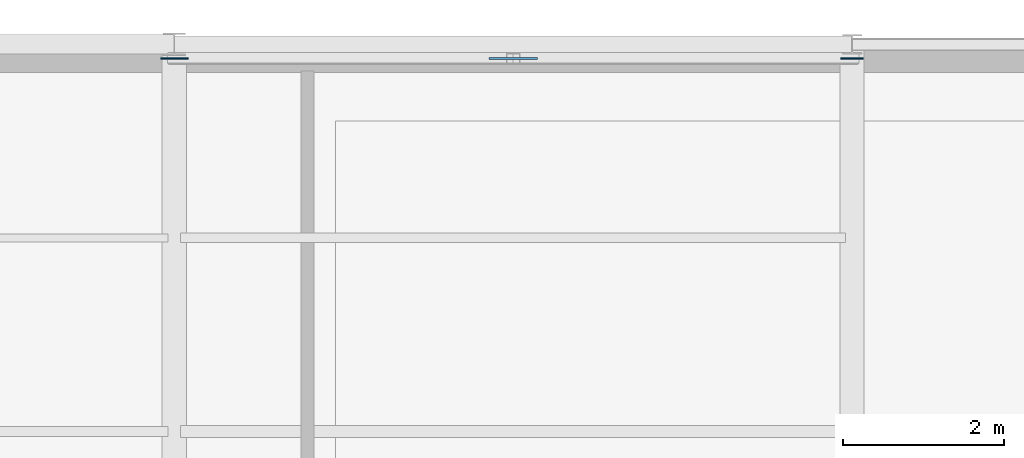
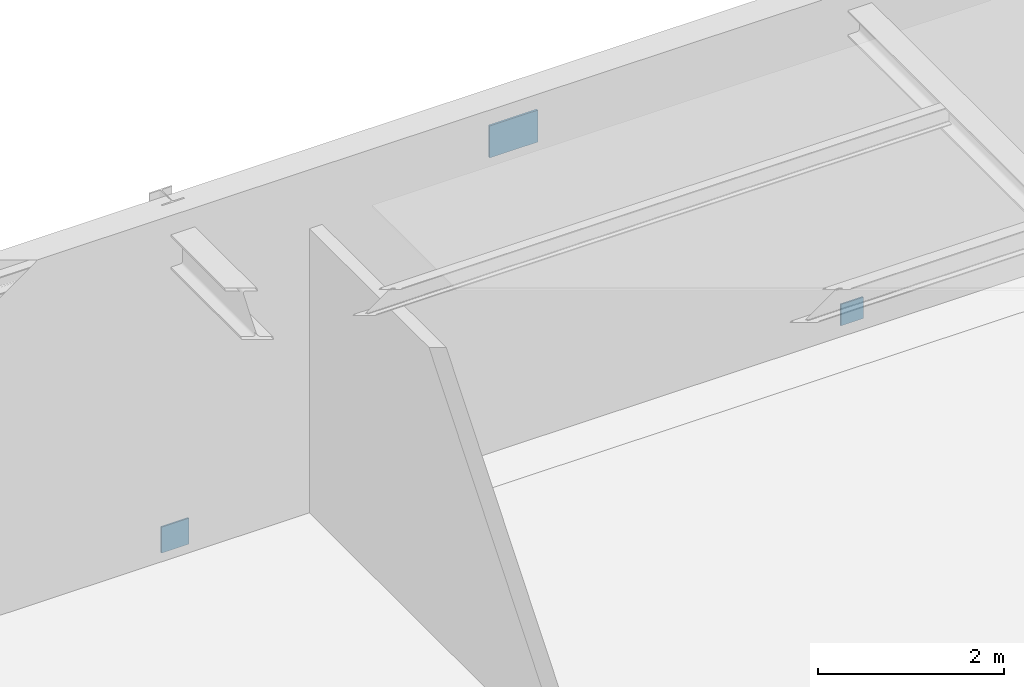
# One storey, part 79 of 106: 3 plates.
"""IFC4 building model written with IfcOpenShell, lengths in metres."""

from ifc_helpers import new_model, si_unit, derived_unit, direction, frame, origin, origin_2d, place, context, subcontext, project, spatial, rectangle, extrude, material, layer, layer_set, type_object, element, save


model = new_model("IFC4")

# Units and contexts
model_context = context("Model", 3, precision=1e-05, world=origin(), true_north=direction((0.0, 1.0)))
body_context = subcontext(model_context, "Body", "Model", "MODEL_VIEW")
ifc_project = project(units=[si_unit("LENGTHUNIT", "METRE"), si_unit("AREAUNIT", "SQUARE_METRE"), si_unit("VOLUMEUNIT", "CUBIC_METRE"), si_unit("PLANEANGLEUNIT", "RADIAN"), si_unit("MASSUNIT", "GRAM", prefix="KILO"), derived_unit("THERMALTRANSMITTANCEUNIT", [(si_unit("POWERUNIT", "WATT"), 1), (si_unit("AREAUNIT", "SQUARE_METRE"), -1), (si_unit("THERMODYNAMICTEMPERATUREUNIT", "KELVIN"), -1)])], contexts=[model_context])

# Site, building, storey
site_placement = place(None, origin())
site = spatial("IfcSite", under=ifc_project, at=site_placement, CompositionType="ELEMENT")
building_placement = place(site_placement, origin())
building = spatial("IfcBuilding", under=site, at=building_placement, Name="Yasenodar Specialist Clinic", CompositionType="ELEMENT")
storey_placement = place(building_placement, frame((0.0, 0.0, 4.5)))
storey = spatial("IfcBuildingStorey", under=building, at=storey_placement, Name="L01", CompositionType="ELEMENT", Elevation=4.5)

# Plates
ifc_material = material(Name="Steel S355", Category="steel")
ifc_layer_1 = layer(ifc_material, 0.02001953125)
ifc_layer_set_1 = layer_set([ifc_layer_1], Name="Steel S355")
plate_type_1 = type_object("IfcPlateType", Name="PL-STEEL-03", PredefinedType="SHEET", material=ifc_layer_set_1)
plate_1_placement = place(storey_placement, frame((16.800048828125, 111.425048828125, -0.02001953125), z_axis=(0.0, 0.0, 1.0), x_axis=(1.0, 0.0, 0.0)))
element("IfcPlate", 1, at=plate_1_placement, inside=storey, type_object=plate_type_1, Name="L01 Hollow Section End-Cap Plate 0004", PredefinedType="SHEET", context=body_context, shape_type="SweptSolid", body=[
    extrude(rectangle(XDim=0.340087890625, YDim=0.02001953125, at=origin_2d()), origin(), (0.0, 0.0, 1.0), 0.340087890625),
])
ifc_layer_2 = layer(ifc_material, 0.01806640625)
ifc_layer_set_2 = layer_set([ifc_layer_2], Name="Steel S355")
plate_type_2 = type_object("IfcPlateType", Name="PL-STEEL-04", PredefinedType="SHEET", material=ifc_layer_set_2)
plate_2_placement = place(storey_placement, frame((25.199951171875, 111.425048828125, 0.009765625), z_axis=(0.0, 0.0, 1.0), x_axis=(1.0, 0.0, 0.0)))
element("IfcPlate", 2, at=plate_2_placement, inside=storey, type_object=plate_type_2, Name="L01 Hollow Section End-Cap Plate 0005", PredefinedType="SHEET", context=body_context, shape_type="SweptSolid", body=[
    extrude(rectangle(XDim=0.280029296875, YDim=0.01806640625, at=origin_2d()), origin(), (0.0, 0.0, 1.0), 0.280029296875),
])
ifc_layer_3 = layer(ifc_material, 0.02490234375)
ifc_layer_set_3 = layer_set([ifc_layer_3], Name="Steel S355")
plate_type_3 = type_object("IfcPlateType", Name="PL-STEEL-07", PredefinedType="USERDEFINED", material=ifc_layer_set_3)
plate_3_placement = place(storey_placement, frame((21.0, 111.425048828125, 3.739990234375), z_axis=(0.0, 0.0, 1.0), x_axis=(1.0, 0.0, 0.0)))
element("IfcPlate", 3, at=plate_3_placement, inside=storey, type_object=plate_type_3, Name="L01 Hollow Section End-Cap Plate 0006", ObjectType="GUSSET_PLATE", PredefinedType="USERDEFINED", context=body_context, shape_type="SweptSolid", body=[
    extrude(rectangle(XDim=0.60009765625, YDim=0.02490234375, at=origin_2d()), origin(), (0.0, 0.0, 1.0), 0.419921875),
])

save(model, "model.ifc")
